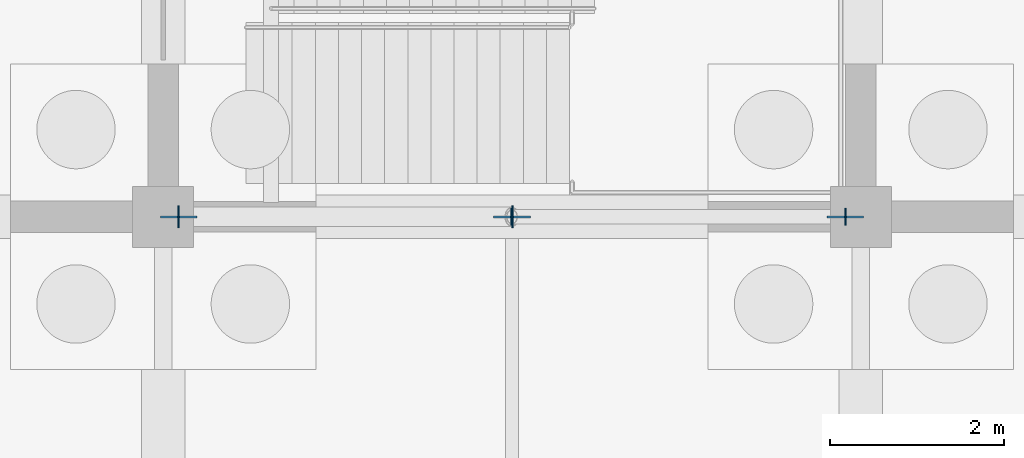
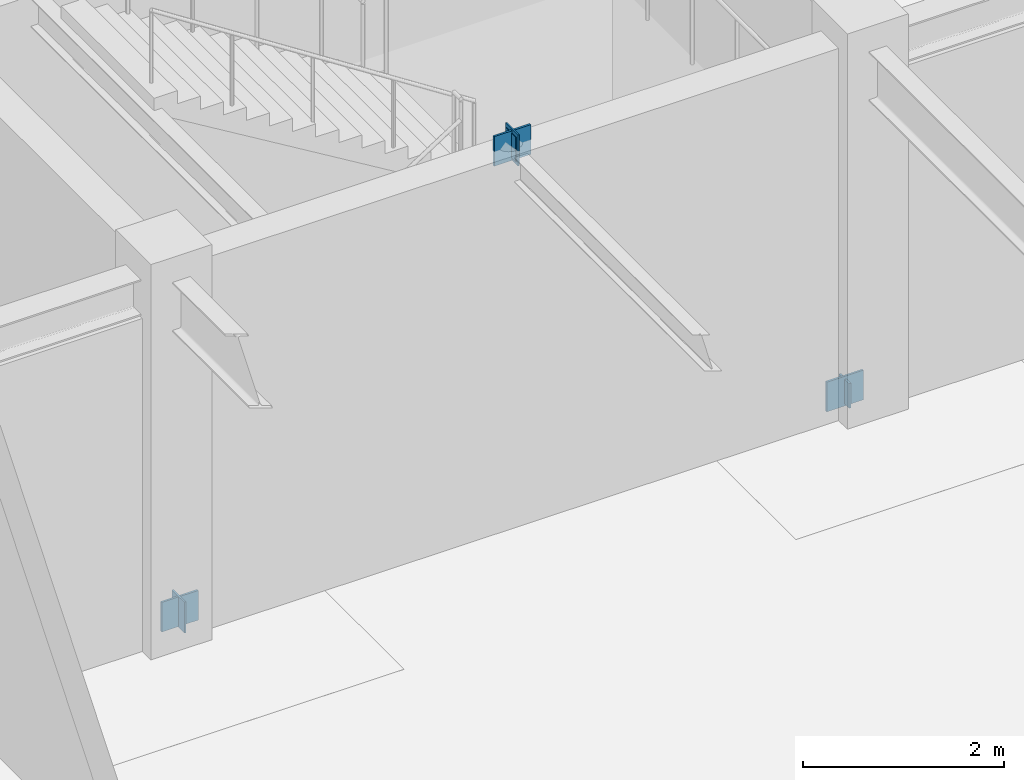
# One storey, part 56 of 72: 7 plates.
"""IFC4 building model written with IfcOpenShell, lengths in metres."""

from ifc_helpers import new_model, si_unit, direction, frame, origin, origin_2d, place, context, subcontext, project, spatial, rectangle, extrude, material, layer, layer_set, type_object, element, save


model = new_model("IFC4")

# Units and contexts
model_context = context("Model", 3, precision=1e-05, world=origin(), true_north=direction((0.0, 1.0)))
body_context = subcontext(model_context, "Body", "Model", "MODEL_VIEW")
ifc_project = project(units=[si_unit("LENGTHUNIT", "METRE"), si_unit("AREAUNIT", "SQUARE_METRE"), si_unit("VOLUMEUNIT", "CUBIC_METRE"), si_unit("PLANEANGLEUNIT", "RADIAN"), si_unit("MASSUNIT", "GRAM", prefix="KILO")], contexts=[model_context])

# Site, building, storey
site_placement = place(None, origin())
site = spatial("IfcSite", under=ifc_project, at=site_placement, CompositionType="ELEMENT")
building_placement = place(site_placement, origin())
building = spatial("IfcBuilding", under=site, at=building_placement, Name="Zhaolan Boulevard Law Courts", CompositionType="ELEMENT")
storey_placement = place(building_placement, frame((0.0, 0.0, -4.800048828125)))
storey = spatial("IfcBuildingStorey", under=building, at=storey_placement, Name="B1", CompositionType="ELEMENT", Elevation=-4.800048828125)

# Plates
ifc_material_1 = material(Name="Structural steel Q355B", Category="steel")
ifc_layer_1 = layer(ifc_material_1, 0.02392578125)
ifc_layer_set_1 = layer_set([ifc_layer_1])
plate_type_1 = type_object("IfcPlateType", Name="BRACE GUSSET PLATE 24", PredefinedType="SHEET", material=ifc_layer_set_1)
for number, where, z_axis, x_axis, name in (
    (1, (76.179931640625, 94.0, 0.02001953125), (0.0, 0.0, 1.0), (1.0, 0.0, 0.0), "Brace Gusset Connection Plate GP-C1-B1-SA1"),
    (2, (83.820068359375, 94.0, 0.02001953125), (0.0, 0.0, 1.0), (1.0, 0.0, 0.0), "Brace Gusset Connection Plate GP-C1-B1-SA2"),
    (3, (80.0, 94.0, 4.33984375), (0.0, 0.0, 1.0), (1.0, 0.0, 0.0), "Brace Gusset Connection Plate GP-C1-B1-SAPX"),
):
    element("IfcPlate", number, at=place(storey_placement, frame(where, z_axis=z_axis, x_axis=x_axis)), inside=storey, type_object=plate_type_1, Name=name, PredefinedType="SHEET", context=body_context, shape_type="SweptSolid", body=[
        extrude(rectangle(XDim=0.419921875, YDim=0.02392578125, at=origin_2d()), origin(), (0.0, 0.0, 1.0), 0.360107421875),
    ])
ifc_material_2 = material(Name="Structural steel Q355B", Category="steel")
ifc_layer_2 = layer(ifc_material_2, 0.02001953125)
ifc_layer_set_2 = layer_set([ifc_layer_2])
plate_type_2 = type_object("IfcPlateType", Name="END CAP PLATE 20", PredefinedType="SHEET", material=ifc_layer_set_2)
for number, where, z_axis, x_axis, name in (
    (4, (76.1748046875, 94.0, 0.006103515625), (0.0, 0.0, 1.0), (1.0, 0.0, 0.0), "Hollow Section End-Cap Plate ECP-1387"),
    (5, (80.00537109375, 94.0, 4.338134765625), (0.0, 0.0, 1.0), (1.0, 0.0, 0.0), "Hollow Section End-Cap Plate ECP-1388"),
):
    element("IfcPlate", number, at=place(storey_placement, frame(where, z_axis=z_axis, x_axis=x_axis)), inside=storey, type_object=plate_type_2, Name=name, PredefinedType="SHEET", context=body_context, shape_type="SweptSolid", body=[
        extrude(rectangle(XDim=0.02001953125, YDim=0.2490234375, at=origin_2d()), origin(), (0.0, 0.0, 1.0), 0.3759765625),
    ])
for number, where, z_axis, x_axis, name in (
    (6, (83.8251953125, 94.0, 0.04443359375), (0.0, 0.0, 1.0), (-1.0, 0.0, 0.0), "Hollow Section End-Cap Plate ECP-1389"),
    (7, (79.99462890625, 94.0, 4.37646484375), (0.0, 0.0, 1.0), (-1.0, 0.0, 0.0), "Hollow Section End-Cap Plate ECP-1390"),
):
    element("IfcPlate", number, at=place(storey_placement, frame(where, z_axis=z_axis, x_axis=x_axis)), inside=storey, type_object=plate_type_2, Name=name, PredefinedType="SHEET", context=body_context, shape_type="SweptSolid", body=[
        extrude(rectangle(XDim=0.02001953125, YDim=0.197998046875, at=origin_2d()), origin(), (0.0, 0.0, 1.0), 0.299072265625),
    ])

save(model, "model.ifc")
